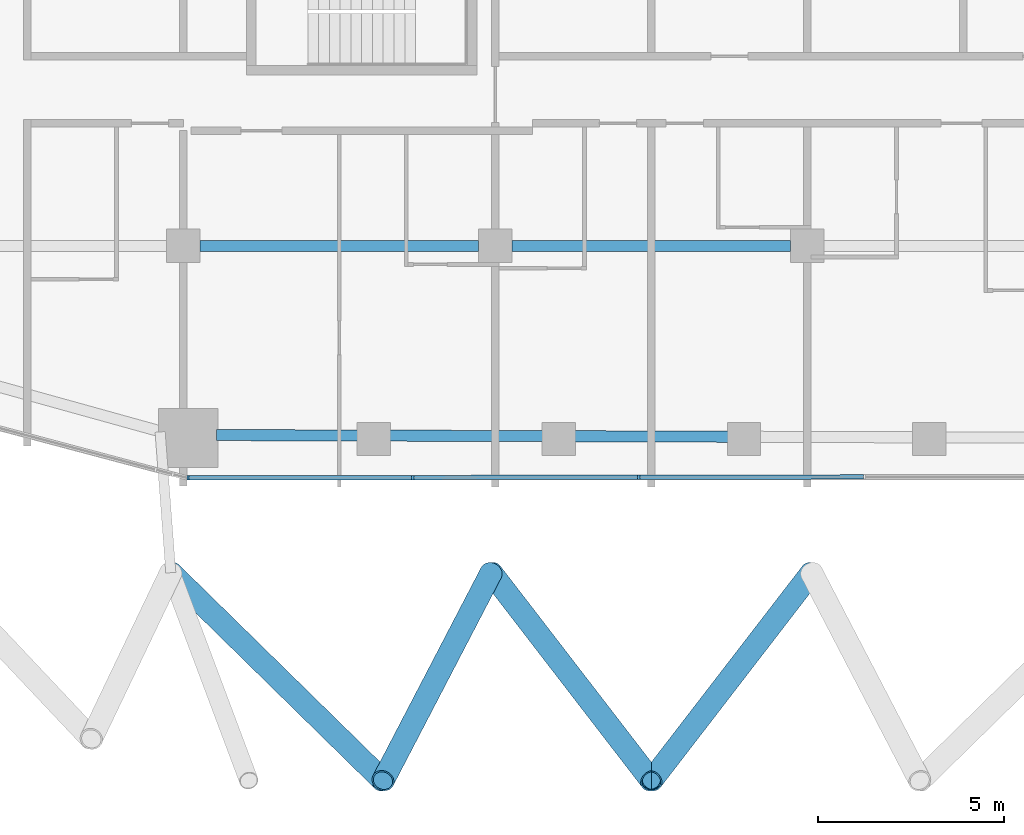
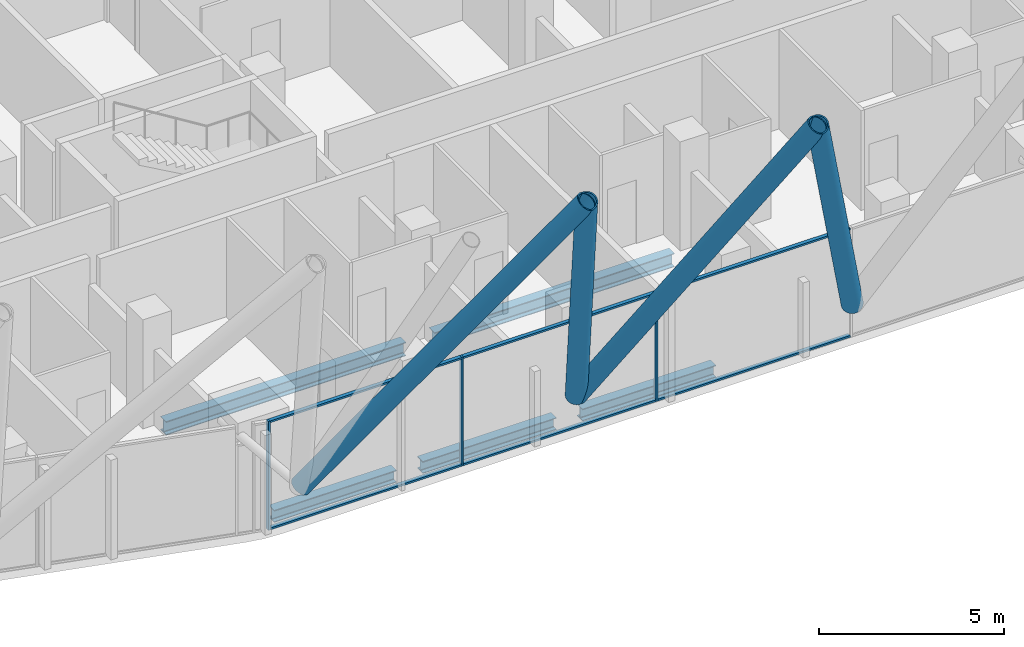
# One storey, part 3 of 34: 13 members, 5 beams, 1 element without a shape of its own.
"""IFC4 building model written with IfcOpenShell, lengths in metres."""

from ifc_helpers import new_model, si_unit, direction, frame, origin, origin_2d, place, context, subcontext, project, spatial, rectangle, hollow_circle, i_section, extrude, material, layer, layer_set, material_profile, profile_set, type_object, element, aggregate, save


model = new_model("IFC4")

# Units and contexts
model_context = context("Model", 3, precision=1e-05, world=origin(), true_north=direction((0.0, 1.0)))
body_context = subcontext(model_context, "Body", "Model", "MODEL_VIEW")
ifc_project = project(units=[si_unit("LENGTHUNIT", "METRE"), si_unit("AREAUNIT", "SQUARE_METRE"), si_unit("VOLUMEUNIT", "CUBIC_METRE"), si_unit("PLANEANGLEUNIT", "RADIAN"), si_unit("MASSUNIT", "GRAM", prefix="KILO")], contexts=[model_context])

# Site, building, storey
site_placement = place(None, origin())
site = spatial("IfcSite", under=ifc_project, at=site_placement, CompositionType="ELEMENT")
building_placement = place(site_placement, origin())
building = spatial("IfcBuilding", under=site, at=building_placement, Name="Marenta Gate Hotel Tower", CompositionType="ELEMENT")
storey_placement = place(building_placement, frame((0.0, 0.0, 166.10009765625)))
storey = spatial("IfcBuildingStorey", under=building, at=storey_placement, Name="L39", CompositionType="ELEMENT", Elevation=166.10009765625)

# Members
ifc_material_1 = material(Name="Steel S355J2W", Category="steel")
ifc_material_profile_1 = material_profile(ifc_material_1, hollow_circle(Radius=0.304931640625, WallThickness=0.0400390625, at=origin_2d()), Name="CHS 610x40")
ifc_profile_set_1 = profile_set([ifc_material_profile_1], Name="Steel S355J2W")
member_type_1 = type_object("IfcMemberType", Name="Diagrid diagonal T2 CHS 610x40", PredefinedType="BRACE", material=ifc_profile_set_1)
for number, where, z_axis, x_axis, name in (
    (1, (4.31298828125, -25.60009765625, 3.139892578125), (-0.334148186646, -0.433847897492, 0.836732329483), (0.792254042336, -0.610191389977, 0.0), "L39-DG-17"),
    (2, (-4.31298828125, -25.60009765625, 3.139892578125), (0.334148186646, -0.433847897492, 0.836732329483), (0.792254042336, 0.610191389977, 0.0), "L39-DG-18"),
):
    element("IfcMember", number, at=place(storey_placement, frame(where, z_axis=z_axis, x_axis=x_axis)), inside=storey, type_object=member_type_1, Name=name, PredefinedType="BRACE", context=body_context, shape_type="SweptSolid", body=[
        extrude(hollow_circle(Radius=0.304931640625, WallThickness=0.0400390625, at=origin_2d()), origin(), (0.0, 0.0, 1.0), 12.907470703125),
    ])
member_1_placement = place(storey_placement, frame((-4.31298828125, -25.60009765625, 3.139892578125), z_axis=(-0.232871461231, -0.447651081651, 0.863353572785), x_axis=(0.887141431973, -0.461497648616, 0.0)))
element("IfcMember", 3, at=member_1_placement, inside=storey, type_object=member_type_1, Name="L39-DG-19", PredefinedType="BRACE", context=body_context, shape_type="SweptSolid", body=[
    extrude(hollow_circle(Radius=0.304931640625, WallThickness=0.0400390625, at=origin_2d()), origin(), (0.0, 0.0, 1.0), 12.509521484375),
])
member_2_placement = place(storey_placement, frame((-12.93896484375, -25.60009765625, 3.139892578125), z_axis=(0.425062815375, -0.416652384455, 0.803568536911), x_axis=(0.700006416032, 0.714136553828, 0.0)))
element("IfcMember", 4, at=member_2_placement, inside=storey, type_object=member_type_1, Name="L39-DG-20", PredefinedType="BRACE", context=body_context, shape_type="SweptSolid", body=[
    extrude(hollow_circle(Radius=0.304931640625, WallThickness=0.0400390625, at=origin_2d()), origin(), (0.0, 0.0, 1.0), 13.440185546875),
])

# Beams
ifc_material_2 = material(Name="Steel S355", Category="steel")
ifc_material_profile_2 = material_profile(ifc_material_2, i_section(OverallWidth=0.300048828125, OverallDepth=0.39990234375, WebThickness=0.013427734375, FlangeThickness=0.02392578125, FilletRadius=0.027099609375, at=origin_2d()), Name="HEB 400")
ifc_profile_set_2 = profile_set([ifc_material_profile_2], Name="Steel S355")
beam_type_1 = type_object("IfcBeamType", Name="Edge beam HEB 400", PredefinedType="SPANDREL", material=ifc_profile_set_2)
beam_1_placement = place(storey_placement, frame((2.08349609375, -21.939453125, -0.460205078125), z_axis=(-0.999994808095, 0.003222387769, 0.0), x_axis=(-0.003222387769, -0.999994808095, 0.0)))
element("IfcBeam", 5, at=beam_1_placement, inside=storey, type_object=beam_type_1, Name="L39-EB-34", PredefinedType="SPANDREL", context=body_context, shape_type="SweptSolid", body=[
    extrude(i_section(OverallWidth=0.300048828125, OverallDepth=0.39990234375, WebThickness=0.013427734375, FlangeThickness=0.02392578125, FilletRadius=0.027099609375, at=origin_2d()), origin(), (0.0, 0.0, 1.0), 4.1669921875),
])
beam_2_placement = place(storey_placement, frame((-2.9033203125, -21.92333984375, -0.460205078125), z_axis=(-0.999994807487, 0.003222576575, 0.0), x_axis=(-0.003222576575, -0.999994807487, 0.0)))
element("IfcBeam", 6, at=beam_2_placement, inside=storey, type_object=beam_type_1, Name="L39-EB-35", PredefinedType="SPANDREL", context=body_context, shape_type="SweptSolid", body=[
    extrude(i_section(OverallWidth=0.300048828125, OverallDepth=0.39990234375, WebThickness=0.013427734375, FlangeThickness=0.02392578125, FilletRadius=0.027099609375, at=origin_2d()), origin(), (0.0, 0.0, 1.0), 4.166748046875),
])
beam_3_placement = place(storey_placement, frame((-7.89013671875, -21.907470703125, -0.460205078125), z_axis=(-0.999994677283, 0.003262729738, 0.0), x_axis=(-0.003262729738, -0.999994677283, 0.0)))
element("IfcBeam", 7, at=beam_3_placement, inside=storey, type_object=beam_type_1, Name="L39-EB-36", PredefinedType="SPANDREL", context=body_context, shape_type="SweptSolid", body=[
    extrude(i_section(OverallWidth=0.300048828125, OverallDepth=0.39990234375, WebThickness=0.013427734375, FlangeThickness=0.02392578125, FilletRadius=0.027099609375, at=origin_2d()), origin(), (0.0, 0.0, 1.0), 3.816162109375),
])
ifc_material_3 = material(Name="Steel S355", Category="steel")
ifc_material_profile_3 = material_profile(ifc_material_3, i_section(OverallWidth=0.300048828125, OverallDepth=0.449951171875, WebThickness=0.013916015625, FlangeThickness=0.02587890625, FilletRadius=0.027099609375, at=origin_2d()), Name="HEB 450")
ifc_profile_set_3 = profile_set([ifc_material_profile_3], Name="Steel S355")
beam_type_2 = type_object("IfcBeamType", Name="Girder HEB 450", PredefinedType="BEAM", material=ifc_profile_set_3)
for number, where, z_axis, x_axis, name in (
    (8, (-12.14990234375, -16.800048828125, -0.485107421875), (1.0, 0.0, 0.0), (0.0, 1.0, 0.0), "L39-GD-3"),
    (9, (-3.75, -16.800048828125, -0.485107421875), (1.0, 0.0, 0.0), (0.0, 1.0, 0.0), "L39-GD-4"),
):
    element("IfcBeam", number, at=place(storey_placement, frame(where, z_axis=z_axis, x_axis=x_axis)), inside=storey, type_object=beam_type_2, Name=name, PredefinedType="BEAM", context=body_context, shape_type="SweptSolid", body=[
        extrude(i_section(OverallWidth=0.300048828125, OverallDepth=0.449951171875, WebThickness=0.013916015625, FlangeThickness=0.02587890625, FilletRadius=0.027099609375, at=origin_2d()), origin(), (0.0, 0.0, 1.0), 7.5),
    ])

# Curtain wall, members
ifc_material_4 = material(Name="Tinted insulated glass in bronze anodised frame", Category="glass")
ifc_layer = layer(ifc_material_4, 0.1201171875)
ifc_layer_set = layer_set([ifc_layer], Name="Tinted insulated glass in bronze anodised frame")
curtain_wall_type = type_object("IfcCurtainWallType", Name="Tower unitised curtain wall CW1", PredefinedType="NOTDEFINED", material=ifc_layer_set)
curtain_wall_placement = place(storey_placement, origin())
curtain_wall = element("IfcCurtainWall", 10, at=curtain_wall_placement, inside=storey, type_object=curtain_wall_type, Name="CW1 run G12", PredefinedType="NOTDEFINED")
ifc_material_5 = material(Name="Bronze anodised aluminium", Category="aluminium")
ifc_material_profile_4 = material_profile(ifc_material_5, rectangle(XDim=0.1201171875, YDim=0.06005859375, at=origin_2d()), Name="Mullion CW1 60x120 bronze anodised aluminium")
ifc_profile_set_4 = profile_set([ifc_material_profile_4], Name="Bronze anodised aluminium")
member_type_2 = type_object("IfcMemberType", Name="Mullion CW1 60x120 bronze anodised aluminium", PredefinedType="MULLION", material=ifc_profile_set_4)
member_3_placement = place(storey_placement, frame((-12.475830078125, -23.04736328125, 0.0), z_axis=(0.0, 0.0, 1.0), x_axis=(-0.00136470383, 0.999999068791, 0.0)))
member_3 = element("IfcMember", 11, at=member_3_placement, type_object=member_type_2, Name="CW1 mullion 1", PredefinedType="MULLION", context=body_context, shape_type="SweptSolid", body=[
    extrude(rectangle(XDim=0.1201171875, YDim=0.06005859375, at=origin_2d()), origin(), (0.0, 0.0, 1.0), 3.599853515625),
])
member_4_placement = place(storey_placement, frame((-6.424072265625, -23.039306640625, 0.0), z_axis=(0.0, 0.0, 1.0), x_axis=(-0.00136470383, 0.999999068791, 0.0)))
member_4 = element("IfcMember", 12, at=member_4_placement, type_object=member_type_2, Name="CW1 mullion 2", PredefinedType="MULLION", context=body_context, shape_type="SweptSolid", body=[
    extrude(rectangle(XDim=0.1201171875, YDim=0.06005859375, at=origin_2d()), origin(), (0.0, 0.0, 1.0), 3.599853515625),
])
member_5_placement = place(storey_placement, frame((-0.342041015625, -23.031005859375, 0.0), z_axis=(0.0, 0.0, 1.0), x_axis=(-0.00136470383, 0.999999068791, 0.0)))
member_5 = element("IfcMember", 13, at=member_5_placement, type_object=member_type_2, Name="CW1 mullion 3", PredefinedType="MULLION", context=body_context, shape_type="SweptSolid", body=[
    extrude(rectangle(XDim=0.1201171875, YDim=0.06005859375, at=origin_2d()), origin(), (0.0, 0.0, 1.0), 3.599853515625),
])
ifc_material_6 = material(Name="Bronze anodised aluminium", Category="aluminium")
ifc_material_profile_5 = material_profile(ifc_material_6, rectangle(XDim=0.1201171875, YDim=0.06005859375, at=origin_2d()), Name="Transom CW1 60x120 bronze anodised aluminium")
ifc_profile_set_5 = profile_set([ifc_material_profile_5], Name="Bronze anodised aluminium")
member_type_3 = type_object("IfcMemberType", Name="Transom CW1 60x120 bronze anodised aluminium", PredefinedType="USERDEFINED", material=ifc_profile_set_5)
member_6_placement = place(storey_placement, frame((-12.44580078125, -23.04736328125, 0.02978515625), z_axis=(0.999999095981, 0.001344632474, 0.0), x_axis=(-0.001344632474, 0.999999095981, 0.0)))
member_6 = element("IfcMember", 14, at=member_6_placement, type_object=member_type_3, Name="CW1 transom 1.1", ObjectType="TRANSOM", PredefinedType="USERDEFINED", context=body_context, shape_type="SweptSolid", body=[
    extrude(rectangle(XDim=0.1201171875, YDim=0.06005859375, at=origin_2d()), origin(), (0.0, 0.0, 1.0), 5.99169921875),
])
member_7_placement = place(storey_placement, frame((-12.44580078125, -23.04736328125, 3.56982421875), z_axis=(0.999999095981, 0.001344632474, 0.0), x_axis=(-0.001344632474, 0.999999095981, 0.0)))
member_7 = element("IfcMember", 15, at=member_7_placement, type_object=member_type_3, Name="CW1 transom 1.2", ObjectType="TRANSOM", PredefinedType="USERDEFINED", context=body_context, shape_type="SweptSolid", body=[
    extrude(rectangle(XDim=0.1201171875, YDim=0.06005859375, at=origin_2d()), origin(), (0.0, 0.0, 1.0), 5.99169921875),
])
member_8_placement = place(storey_placement, frame((-6.39404296875, -23.0390625, 0.02978515625), z_axis=(0.999999105048, 0.001337872799, 0.0), x_axis=(-0.001337872799, 0.999999105048, 0.0)))
member_8 = element("IfcMember", 16, at=member_8_placement, type_object=member_type_3, Name="CW1 transom 2.1", ObjectType="TRANSOM", PredefinedType="USERDEFINED", context=body_context, shape_type="SweptSolid", body=[
    extrude(rectangle(XDim=0.1201171875, YDim=0.06005859375, at=origin_2d()), origin(), (0.0, 0.0, 1.0), 6.02197265625),
])
member_9_placement = place(storey_placement, frame((-6.39404296875, -23.0390625, 3.56982421875), z_axis=(0.999999105048, 0.001337872799, 0.0), x_axis=(-0.001337872799, 0.999999105048, 0.0)))
member_9 = element("IfcMember", 17, at=member_9_placement, type_object=member_type_3, Name="CW1 transom 2.2", ObjectType="TRANSOM", PredefinedType="USERDEFINED", context=body_context, shape_type="SweptSolid", body=[
    extrude(rectangle(XDim=0.1201171875, YDim=0.06005859375, at=origin_2d()), origin(), (0.0, 0.0, 1.0), 6.02197265625),
])
member_10_placement = place(storey_placement, frame((-0.31201171875, -23.03076171875, 0.02978515625), z_axis=(0.999999104975, 0.001337927041, 0.0), x_axis=(-0.001337927041, 0.999999104975, 0.0)))
member_10 = element("IfcMember", 18, at=member_10_placement, type_object=member_type_3, Name="CW1 transom 3.1", ObjectType="TRANSOM", PredefinedType="USERDEFINED", context=body_context, shape_type="SweptSolid", body=[
    extrude(rectangle(XDim=0.1201171875, YDim=0.06005859375, at=origin_2d()), origin(), (0.0, 0.0, 1.0), 6.021728515625),
])
member_11_placement = place(storey_placement, frame((-0.31201171875, -23.03076171875, 3.56982421875), z_axis=(0.999999104975, 0.001337927041, 0.0), x_axis=(-0.001337927041, 0.999999104975, 0.0)))
member_11 = element("IfcMember", 19, at=member_11_placement, type_object=member_type_3, Name="CW1 transom 3.2", ObjectType="TRANSOM", PredefinedType="USERDEFINED", context=body_context, shape_type="SweptSolid", body=[
    extrude(rectangle(XDim=0.1201171875, YDim=0.06005859375, at=origin_2d()), origin(), (0.0, 0.0, 1.0), 6.021728515625),
])
aggregate(curtain_wall, [member_3, member_4, member_5, member_6, member_7, member_8, member_9, member_10, member_11])

save(model, "model.ifc")
